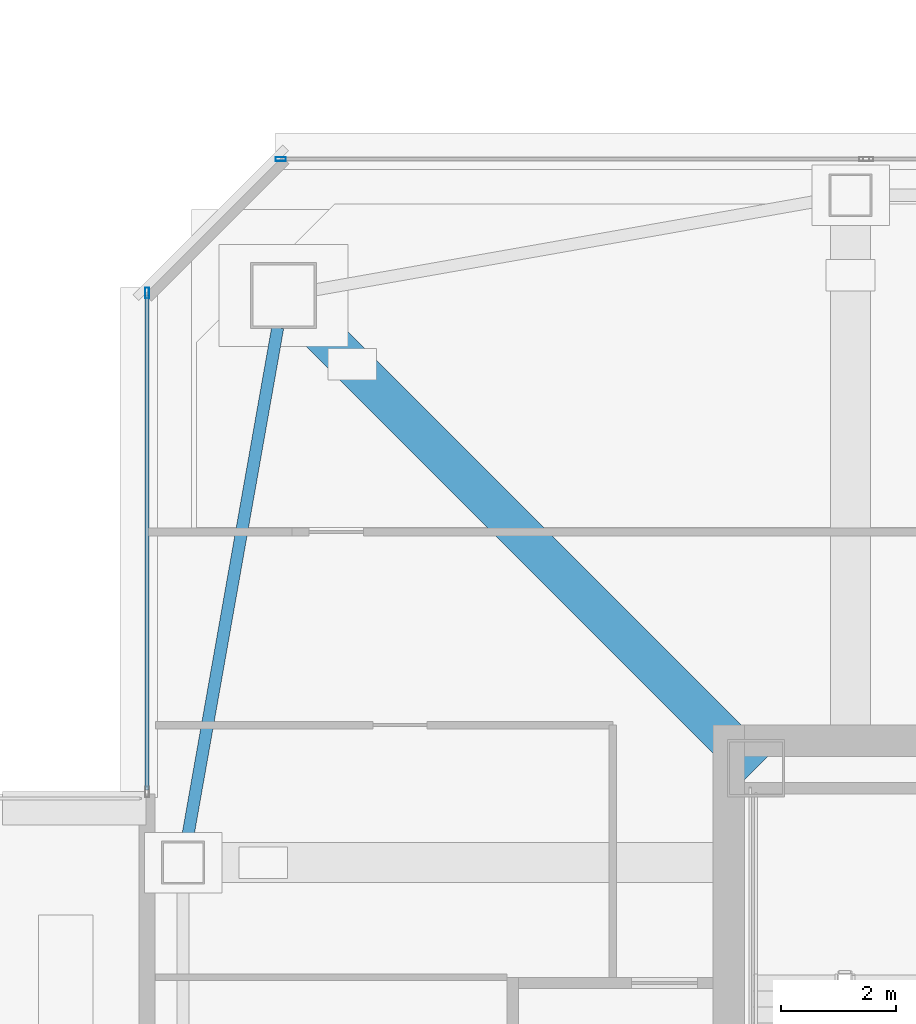
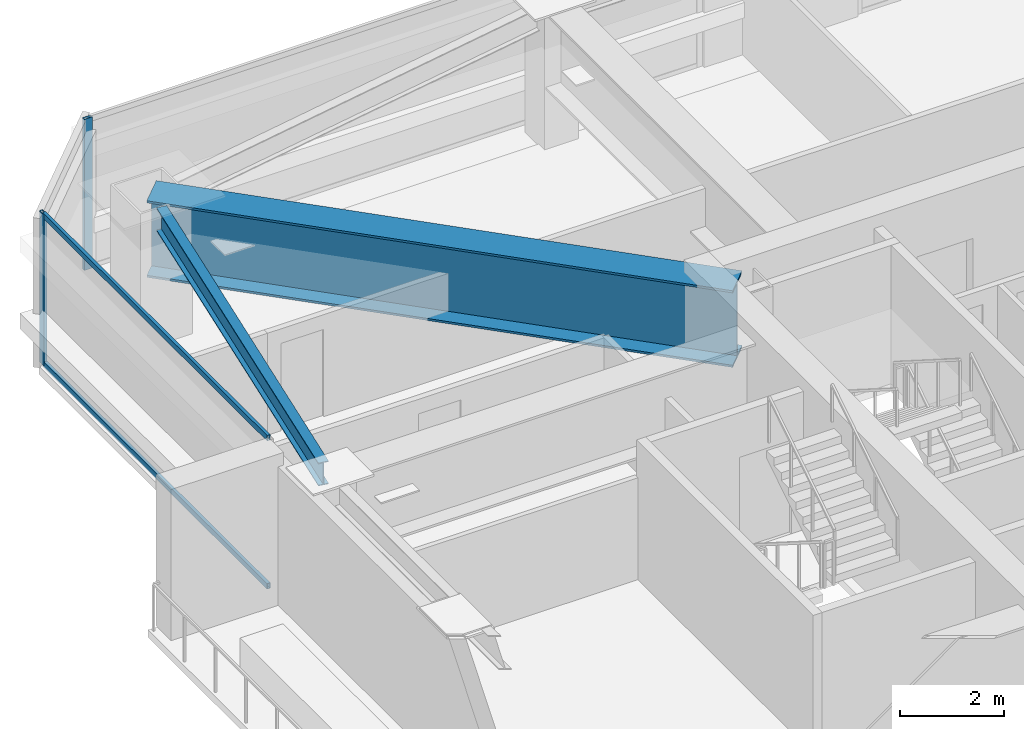
# One storey, part 11 of 42: 4 members, 2 beams, 2 elements without a shape of their own.
"""IFC4 building model written with IfcOpenShell, lengths in metres."""

from ifc_helpers import new_model, si_unit, direction, frame, origin, origin_2d, place, context, subcontext, project, spatial, hollow_rectangle, i_section, extrude, material, material_profile, profile_set, type_object, element, aggregate, save


model = new_model("IFC4")

# Units and contexts
model_context = context("Model", 3, precision=1e-05, world=origin(), true_north=direction((0.0, 1.0)))
body_context = subcontext(model_context, "Body", "Model", "MODEL_VIEW")
ifc_project = project(units=[si_unit("LENGTHUNIT", "METRE"), si_unit("AREAUNIT", "SQUARE_METRE"), si_unit("VOLUMEUNIT", "CUBIC_METRE"), si_unit("PLANEANGLEUNIT", "RADIAN"), si_unit("MASSUNIT", "GRAM", prefix="KILO")], contexts=[model_context])

# Site, building, storey
site_placement = place(None, origin())
site = spatial("IfcSite", under=ifc_project, at=site_placement, CompositionType="ELEMENT")
building_placement = place(site_placement, origin())
building = spatial("IfcBuilding", under=site, at=building_placement, Name="Tashvorn Skyway Center", CompositionType="ELEMENT")
storey_placement = place(building_placement, frame((0.0, 0.0, 196.050048828125)))
storey = spatial("IfcBuildingStorey", under=building, at=storey_placement, Name="L53", CompositionType="ELEMENT", Elevation=196.050048828125)

# Beams
ifc_material_1 = material(Name="Steel ASTM A572 Grade 50", Category="steel")
ifc_material_profile_1 = material_profile(ifc_material_1, i_section(OverallWidth=0.699951171875, OverallDepth=1.800048828125, WebThickness=0.031982421875, FlangeThickness=0.050048828125, at=origin_2d()), Name="PG1800x700")
ifc_profile_set_1 = profile_set([ifc_material_profile_1], Name="Steel ASTM A572 Grade 50")
beam_type_1 = type_object("IfcBeamType", Name="BM-BEAM-PG1800x700", PredefinedType="BEAM", material=ifc_profile_set_1)
beam_1_placement = place(storey_placement, frame((26.699951171875, 47.300048828125, 2.349853515625), z_axis=(0.707106781187, -0.707106781187, 0.0), x_axis=(0.707106781187, 0.707106781187, 0.0)))
element("IfcBeam", 1, at=beam_1_placement, inside=storey, type_object=beam_type_1, Name="Tower 1 L53 Setback Transfer Girder MC-NW", PredefinedType="BEAM", context=body_context, shape_type="SweptSolid", body=[
    extrude(i_section(OverallWidth=0.699951171875, OverallDepth=1.800048828125, WebThickness=0.031982421875, FlangeThickness=0.050048828125, at=origin_2d()), origin(), (0.0, 0.0, 1.0), 11.667236328125),
])
ifc_material_2 = material(Name="Steel ASTM A992 Grade 50", Category="steel")
ifc_material_profile_2 = material_profile(ifc_material_2, i_section(OverallWidth=0.2109375, OverallDepth=0.5390625, WebThickness=0.01171875, FlangeThickness=0.018798828125, at=origin_2d()), Name="W21X73")
ifc_profile_set_2 = profile_set([ifc_material_profile_2], Name="Steel ASTM A992 Grade 50")
beam_type_2 = type_object("IfcBeamType", Name="BM-SPANDREL-W21X73", PredefinedType="SPANDREL", material=ifc_profile_set_2)
beam_2_placement = place(storey_placement, frame((26.600830078125, 46.73876953125, 2.98046875), z_axis=(-0.174074160933, -0.984732545667, 0.0), x_axis=(0.984732545667, -0.174074160933, 0.0)))
element("IfcBeam", 2, at=beam_2_placement, inside=storey, type_object=beam_type_2, Name="Tower 1 L53 Spandrel Beam 10", PredefinedType="SPANDREL", context=body_context, shape_type="SweptSolid", body=[
    extrude(i_section(OverallWidth=0.2109375, OverallDepth=0.5390625, WebThickness=0.01171875, FlangeThickness=0.018798828125, at=origin_2d()), origin(), (0.0, 0.0, 1.0), 9.113525390625),
])

# Curtain wall, member
ifc_material_3 = material(Name="Thermally broken bronze-anodized aluminium 6063-T6", Category="aluminium")
curtain_wall_type = type_object("IfcCurtainWallType", Name="CW-CW-Z4", PredefinedType="NOTDEFINED", material=ifc_material_3)
curtain_wall_1_placement = place(storey_placement, origin())
curtain_wall_1 = element("IfcCurtainWall", 3, at=curtain_wall_1_placement, inside=storey, type_object=curtain_wall_type, Name="Tower 1 L53 West Curtain Wall R", PredefinedType="NOTDEFINED")
ifc_material_profile_3 = material_profile(ifc_material_3, hollow_rectangle(XDim=0.070068359375, YDim=0.179931640625, WallThickness=0.00390625, at=origin_2d()), Name="ALU-MULL-70x180")
ifc_profile_set_3 = profile_set([ifc_material_profile_3], Name="Thermally broken bronze-anodized aluminium 6063-T6")
member_type_1 = type_object("IfcMemberType", Name="CWM-CW-Z4", PredefinedType="MULLION", material=ifc_profile_set_3)
member_1_placement = place(storey_placement, frame((24.320068359375, 47.344970703125, 0.0), z_axis=(0.0, 0.0, 1.0), x_axis=(-1.0, 0.0, 0.0)))
member_1 = element("IfcMember", 4, at=member_1_placement, type_object=member_type_1, Name="CW-Z4 mullion 2", PredefinedType="MULLION", context=body_context, shape_type="SweptSolid", body=[
    extrude(hollow_rectangle(XDim=0.070068359375, YDim=0.179931640625, WallThickness=0.00390625, at=origin_2d()), origin(), (0.0, 0.0, 1.0), 3.550048828125),
])

curtain_wall_2_placement = place(storey_placement, origin())
curtain_wall_2 = element("IfcCurtainWall", 5, at=curtain_wall_2_placement, inside=storey, type_object=curtain_wall_type, Name="Tower 1 L53 North Unitised Curtain Wall Glazing Group 1", PredefinedType="NOTDEFINED")
member_2_placement = place(storey_placement, frame((26.655029296875, 49.679931640625, 0.0), z_axis=(0.0, 0.0, 1.0), x_axis=(0.0, 1.0, 0.0)))
member_2 = element("IfcMember", 6, at=member_2_placement, type_object=member_type_1, Name="CW-Z4 mullion 1", PredefinedType="MULLION", context=body_context, shape_type="SweptSolid", body=[
    extrude(hollow_rectangle(XDim=0.070068359375, YDim=0.179931640625, WallThickness=0.00390625, at=origin_2d()), origin(), (0.0, 0.0, 1.0), 3.550048828125),
])
aggregate(curtain_wall_2, [member_2])

# Member
ifc_material_profile_4 = material_profile(ifc_material_3, hollow_rectangle(XDim=0.070068359375, YDim=0.1298828125, WallThickness=0.00390625, at=origin_2d()), Name="ALU-TRAN-70x130")
ifc_profile_set_4 = profile_set([ifc_material_profile_4], Name="Thermally broken bronze-anodized aluminium 6063-T6")
member_type_2 = type_object("IfcMemberType", Name="CWT-CW-Z4", PredefinedType="USERDEFINED", material=ifc_profile_set_4)
member_3_placement = place(storey_placement, frame((24.320068359375, 38.669921875, 0.034912109375), z_axis=(0.0, 1.0, 0.0), x_axis=(-1.0, 0.0, 0.0)))
member_3 = element("IfcMember", 7, at=member_3_placement, type_object=member_type_2, Name="CW-Z4 transom 1.1", ObjectType="TRANSOM", PredefinedType="USERDEFINED", context=body_context, shape_type="SweptSolid", body=[
    extrude(hollow_rectangle(XDim=0.070068359375, YDim=0.1298828125, WallThickness=0.00390625, at=origin_2d()), origin(), (0.0, 0.0, 1.0), 8.64013671875),
])

member_4_placement = place(storey_placement, frame((24.320068359375, 38.669921875, 3.514892578125), z_axis=(0.0, 1.0, 0.0), x_axis=(-1.0, 0.0, 0.0)))
member_4 = element("IfcMember", 8, at=member_4_placement, type_object=member_type_2, Name="CW-Z4 transom 1.2", ObjectType="TRANSOM", PredefinedType="USERDEFINED", context=body_context, shape_type="SweptSolid", body=[
    extrude(hollow_rectangle(XDim=0.070068359375, YDim=0.1298828125, WallThickness=0.00390625, at=origin_2d()), origin(), (0.0, 0.0, 1.0), 8.64013671875),
])

aggregate(curtain_wall_1, [member_1, member_3, member_4])

save(model, "model.ifc")
